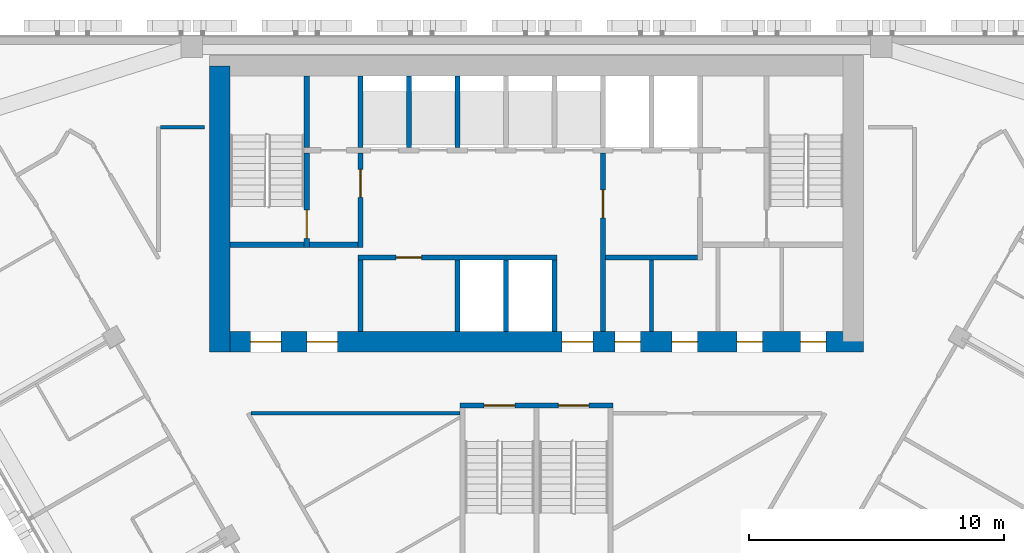
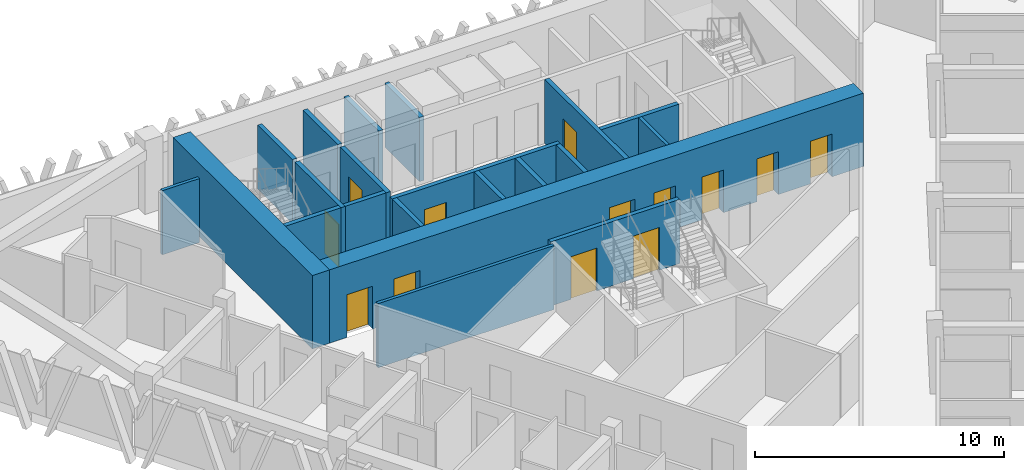
# One storey, part 11 of 16: 21 walls, 13 doors, 13 openings.
"""IFC4 building model written with IfcOpenShell, lengths in metres."""

from ifc_helpers import new_model, si_unit, direction, frame, frame_2d, origin, place, context, subcontext, project, spatial, rectangle, extrude, material, layer, layer_set, type_object, element, fill, save


model = new_model("IFC4")

# Units and contexts
model_context = context("Model", 3, precision=1e-05, world=origin(), true_north=direction((0.0, 1.0)))
body_context = subcontext(model_context, "Body", "Model", "MODEL_VIEW")
ifc_project = project(units=[si_unit("LENGTHUNIT", "METRE"), si_unit("AREAUNIT", "SQUARE_METRE"), si_unit("VOLUMEUNIT", "CUBIC_METRE"), si_unit("PLANEANGLEUNIT", "RADIAN"), si_unit("MASSUNIT", "GRAM", prefix="KILO")], contexts=[model_context])

# Site, building, storey
site_placement = place(None, origin())
site = spatial("IfcSite", under=ifc_project, at=site_placement, CompositionType="ELEMENT")
building_placement = place(site_placement, origin())
building = spatial("IfcBuilding", under=site, at=building_placement, Name="Altiplano Prism Tower", CompositionType="ELEMENT")
storey_placement = place(building_placement, frame((0.0, 0.0, 149.39990234375)))
storey = spatial("IfcBuildingStorey", under=building, at=storey_placement, Name="L38", CompositionType="ELEMENT", Elevation=149.39990234375)

# Wall, openings, doors
ifc_material_1 = material(Name="Concrete C60/75", Category="concrete")
ifc_layer_1 = layer(ifc_material_1, 0.800048828125)
ifc_layer_set_1 = layer_set([ifc_layer_1], Name="Concrete C60/75")
wall_type_1 = type_object("IfcWallType", Name="Core wall 800", PredefinedType="SHEAR", material=ifc_layer_set_1)
wall_1_placement = place(storey_placement, frame((72.60009765625, 93.0, 0.0), z_axis=(0.0, 0.0, 1.0), x_axis=(1.0, 0.0, 0.0)))
wall_1 = element("IfcWall", 1, at=wall_1_placement, inside=storey, type_object=wall_type_1, Name="Core wall S L38", PredefinedType="SHEAR", context=body_context, shape_type="SweptSolid", body=[
    extrude(rectangle(XDim=25.199951171875, YDim=0.800048828125, at=frame_2d((12.60009765625, 0.0))), origin(), (0.0, 0.0, 1.0), 3.60009765625),
])
opening_1_placement = place(wall_1_placement, frame((1.199951171875, 0.0, 0.0)))
opening_1 = element("IfcOpeningElement", 2, at=opening_1_placement, cuts=wall_1, Name="Opening D3102", PredefinedType="OPENING", context=body_context, shape_type="SweptSolid", body=[
    extrude(rectangle(XDim=1.199951171875, YDim=2.10009765625, at=frame_2d((0.60009765625, 1.050048828125))), frame((0.0, 0.41064453125, 0.0), z_axis=(0.0, -1.0, 0.0), x_axis=(1.0, 0.0, 0.0)), (0.0, 0.0, 1.0), 0.821044921875),
])
opening_2_placement = place(wall_1_placement, frame((3.39990234375, 0.0, 0.0)))
opening_2 = element("IfcOpeningElement", 3, at=opening_2_placement, cuts=wall_1, Name="Opening D3103", PredefinedType="OPENING", context=body_context, shape_type="SweptSolid", body=[
    extrude(rectangle(XDim=1.199951171875, YDim=2.10009765625, at=frame_2d((0.60009765625, 1.050048828125))), frame((0.0, 0.41064453125, 0.0), z_axis=(0.0, -1.0, 0.0), x_axis=(1.0, 0.0, 0.0)), (0.0, 0.0, 1.0), 0.821044921875),
])
opening_3_placement = place(wall_1_placement, frame((13.39990234375, 0.0, 0.0)))
opening_3 = element("IfcOpeningElement", 4, at=opening_3_placement, cuts=wall_1, Name="Opening D3104", PredefinedType="OPENING", context=body_context, shape_type="SweptSolid", body=[
    extrude(rectangle(XDim=1.199951171875, YDim=2.10009765625, at=frame_2d((0.60009765625, 1.050048828125))), frame((0.0, 0.41064453125, 0.0), z_axis=(0.0, -1.0, 0.0), x_axis=(1.0, 0.0, 0.0)), (0.0, 0.0, 1.0), 0.821044921875),
])
opening_4_placement = place(wall_1_placement, frame((15.46240234375, 0.0, 0.0)))
opening_4 = element("IfcOpeningElement", 5, at=opening_4_placement, cuts=wall_1, Name="Opening D3107", PredefinedType="OPENING", context=body_context, shape_type="SweptSolid", body=[
    extrude(rectangle(XDim=1.0, YDim=2.10009765625, at=frame_2d((0.5, 1.050048828125))), frame((0.0, 0.41064453125, 0.0), z_axis=(0.0, -1.0, 0.0), x_axis=(1.0, 0.0, 0.0)), (0.0, 0.0, 1.0), 0.821044921875),
])
opening_5_placement = place(wall_1_placement, frame((17.699951171875, 0.0, 0.0)))
opening_5 = element("IfcOpeningElement", 6, at=opening_5_placement, cuts=wall_1, Name="Opening D3108", PredefinedType="OPENING", context=body_context, shape_type="SweptSolid", body=[
    extrude(rectangle(XDim=1.0, YDim=2.10009765625, at=frame_2d((0.5, 1.050048828125))), frame((0.0, 0.41064453125, 0.0), z_axis=(0.0, -1.0, 0.0), x_axis=(1.0, 0.0, 0.0)), (0.0, 0.0, 1.0), 0.821044921875),
])
opening_6_placement = place(wall_1_placement, frame((20.25, 0.0, 0.0)))
opening_6 = element("IfcOpeningElement", 7, at=opening_6_placement, cuts=wall_1, Name="Opening D3109", PredefinedType="OPENING", context=body_context, shape_type="SweptSolid", body=[
    extrude(rectangle(XDim=1.0, YDim=2.10009765625, at=frame_2d((0.5, 1.050048828125))), frame((0.0, 0.41064453125, 0.0), z_axis=(0.0, -1.0, 0.0), x_axis=(1.0, 0.0, 0.0)), (0.0, 0.0, 1.0), 0.821044921875),
])
opening_7_placement = place(wall_1_placement, frame((22.737548828125, 0.0, 0.0)))
opening_7 = element("IfcOpeningElement", 8, at=opening_7_placement, cuts=wall_1, Name="Opening D3110", PredefinedType="OPENING", context=body_context, shape_type="SweptSolid", body=[
    extrude(rectangle(XDim=1.0, YDim=2.10009765625, at=frame_2d((0.5, 1.050048828125))), frame((0.0, 0.41064453125, 0.0), z_axis=(0.0, -1.0, 0.0), x_axis=(1.0, 0.0, 0.0)), (0.0, 0.0, 1.0), 0.821044921875),
])
ifc_material_2 = material(Name="Fire-rated steel door", Category="steel")
door_type_1 = type_object("IfcDoorType", Name="Core room door 1000 x 2100", OperationType="NOTDEFINED", PredefinedType="NOTDEFINED", material=ifc_material_2)
door_1_placement = place(opening_4_placement, origin())
door_1 = element("IfcDoor", 9, at=door_1_placement, inside=storey, type_object=door_type_1, Name="Core room door D3107", OperationType="SINGLE_SWING_RIGHT", OverallHeight=2.10009765625, OverallWidth=1.0, PredefinedType="NOTDEFINED", context=body_context, shape_type="SweptSolid", body=[
    extrude(rectangle(XDim=1.0, YDim=2.10009765625, at=frame_2d((0.5, 1.050048828125))), frame((0.0, 0.02490234375, 0.0), z_axis=(0.0, -1.0, 0.0), x_axis=(1.0, 0.0, 0.0)), (0.0, 0.0, 1.0), 0.050048828125),
])
fill(opening_4, door_1)
door_2_placement = place(opening_5_placement, origin())
door_2 = element("IfcDoor", 10, at=door_2_placement, inside=storey, type_object=door_type_1, Name="Core room door D3108", OperationType="SINGLE_SWING_LEFT", OverallHeight=2.10009765625, OverallWidth=1.0, PredefinedType="NOTDEFINED", context=body_context, shape_type="SweptSolid", body=[
    extrude(rectangle(XDim=1.0, YDim=2.10009765625, at=frame_2d((0.5, 1.050048828125))), frame((0.0, 0.02490234375, 0.0), z_axis=(0.0, -1.0, 0.0), x_axis=(1.0, 0.0, 0.0)), (0.0, 0.0, 1.0), 0.050048828125),
])
fill(opening_5, door_2)
door_3_placement = place(opening_6_placement, origin())
door_3 = element("IfcDoor", 11, at=door_3_placement, inside=storey, type_object=door_type_1, Name="Core room door D3109", OperationType="SINGLE_SWING_RIGHT", OverallHeight=2.10009765625, OverallWidth=1.0, PredefinedType="NOTDEFINED", context=body_context, shape_type="SweptSolid", body=[
    extrude(rectangle(XDim=1.0, YDim=2.10009765625, at=frame_2d((0.5, 1.050048828125))), frame((0.0, 0.02490234375, 0.0), z_axis=(0.0, -1.0, 0.0), x_axis=(1.0, 0.0, 0.0)), (0.0, 0.0, 1.0), 0.050048828125),
])
fill(opening_6, door_3)
door_4_placement = place(opening_7_placement, origin())
door_4 = element("IfcDoor", 12, at=door_4_placement, inside=storey, type_object=door_type_1, Name="Core room door D3110", OperationType="SINGLE_SWING_LEFT", OverallHeight=2.10009765625, OverallWidth=1.0, PredefinedType="NOTDEFINED", context=body_context, shape_type="SweptSolid", body=[
    extrude(rectangle(XDim=1.0, YDim=2.10009765625, at=frame_2d((0.5, 1.050048828125))), frame((0.0, 0.02490234375, 0.0), z_axis=(0.0, -1.0, 0.0), x_axis=(1.0, 0.0, 0.0)), (0.0, 0.0, 1.0), 0.050048828125),
])
fill(opening_7, door_4)
door_type_2 = type_object("IfcDoorType", Name="Lobby fire door 1200 x 2100", OperationType="NOTDEFINED", PredefinedType="NOTDEFINED", material=ifc_material_2)
door_5_placement = place(opening_1_placement, origin())
door_5 = element("IfcDoor", 13, at=door_5_placement, inside=storey, type_object=door_type_2, Name="Lobby fire door D3102", OperationType="SINGLE_SWING_RIGHT", OverallHeight=2.10009765625, OverallWidth=1.199951171875, PredefinedType="NOTDEFINED", context=body_context, shape_type="SweptSolid", body=[
    extrude(rectangle(XDim=1.199951171875, YDim=2.10009765625, at=frame_2d((0.60009765625, 1.050048828125))), frame((0.0, 0.02490234375, 0.0), z_axis=(0.0, -1.0, 0.0), x_axis=(1.0, 0.0, 0.0)), (0.0, 0.0, 1.0), 0.050048828125),
])
fill(opening_1, door_5)
door_6_placement = place(opening_2_placement, origin())
door_6 = element("IfcDoor", 14, at=door_6_placement, inside=storey, type_object=door_type_2, Name="Lobby fire door D3103", OperationType="SINGLE_SWING_LEFT", OverallHeight=2.10009765625, OverallWidth=1.199951171875, PredefinedType="NOTDEFINED", context=body_context, shape_type="SweptSolid", body=[
    extrude(rectangle(XDim=1.199951171875, YDim=2.10009765625, at=frame_2d((0.60009765625, 1.050048828125))), frame((0.0, 0.02490234375, 0.0), z_axis=(0.0, -1.0, 0.0), x_axis=(1.0, 0.0, 0.0)), (0.0, 0.0, 1.0), 0.050048828125),
])
fill(opening_2, door_6)
door_7_placement = place(opening_3_placement, origin())
door_7 = element("IfcDoor", 15, at=door_7_placement, inside=storey, type_object=door_type_2, Name="Lobby fire door D3104", OperationType="SINGLE_SWING_RIGHT", OverallHeight=2.10009765625, OverallWidth=1.199951171875, PredefinedType="NOTDEFINED", context=body_context, shape_type="SweptSolid", body=[
    extrude(rectangle(XDim=1.199951171875, YDim=2.10009765625, at=frame_2d((0.60009765625, 1.050048828125))), frame((0.0, 0.02490234375, 0.0), z_axis=(0.0, -1.0, 0.0), x_axis=(1.0, 0.0, 0.0)), (0.0, 0.0, 1.0), 0.050048828125),
])
fill(opening_3, door_7)

# Walls
wall_2_placement = place(storey_placement, frame((72.60009765625, 103.800048828125, 0.0), z_axis=(0.0, 0.0, 1.0), x_axis=(0.0, -1.0, 0.0)))
element("IfcWall", 16, at=wall_2_placement, inside=storey, type_object=wall_type_1, Name="Core wall W L38", PredefinedType="SHEAR", context=body_context, shape_type="SweptSolid", body=[
    extrude(rectangle(XDim=11.199951171875, YDim=0.800048828125, at=frame_2d((5.60009765625, 0.0))), origin(), (0.0, 0.0, 1.0), 3.60009765625),
])
ifc_material_3 = material(Name="Plasterboard on steel stud", Category="steel")
ifc_layer_2 = layer(ifc_material_3, 0.14990234375)
ifc_layer_set_2 = layer_set([ifc_layer_2], Name="Plasterboard on steel stud")
wall_type_2 = type_object("IfcWallType", Name="Partition 150 corridor", PredefinedType="PARTITIONING", material=ifc_layer_set_2)
wall_3_placement = place(storey_placement, frame((73.825927734375, 90.199951171875, 0.0), z_axis=(0.0, 0.0, 1.0), x_axis=(1.0, 0.0, 0.0)))
element("IfcWall", 17, at=wall_3_placement, inside=storey, type_object=wall_type_2, Name="Partition P06 L38 001", PredefinedType="PARTITIONING", context=body_context, shape_type="SweptSolid", body=[
    extrude(rectangle(XDim=8.174072265625, YDim=0.14990234375, at=frame_2d((4.0869140625, 0.0))), origin(), (0.0, 0.0, 1.0), 3.150146484375),
])
wall_4_placement = place(storey_placement, frame((72.0, 101.39990234375, 0.0), z_axis=(0.0, 0.0, 1.0), x_axis=(-1.0, 0.0, 0.0)))
element("IfcWall", 18, at=wall_4_placement, inside=storey, type_object=wall_type_2, Name="Partition P06 L38 013", PredefinedType="PARTITIONING", context=body_context, shape_type="SweptSolid", body=[
    extrude(rectangle(XDim=1.72509765625, YDim=0.14990234375, at=frame_2d((0.862548828125, 0.0))), origin(), (0.0, 0.0, 1.0), 3.150146484375),
])
ifc_material_4 = material(Name="Fire-rated gypsum board partition")
ifc_layer_3 = layer(ifc_material_4, 0.14990234375)
ifc_layer_set_3 = layer_set([ifc_layer_3], Name="Fire-rated gypsum board partition")
wall_type_3 = type_object("IfcWallType", Name="Room partition 150", PredefinedType="PARTITIONING", material=ifc_layer_set_3)
wall_5_placement = place(storey_placement, frame((89.5, 93.39990234375, 0.0), z_axis=(0.0, 0.0, 1.0), x_axis=(0.0, 1.0, 0.0)))
element("IfcWall", 19, at=wall_5_placement, inside=storey, type_object=wall_type_3, Name="Room partition L38", PredefinedType="PARTITIONING", context=body_context, shape_type="SweptSolid", body=[
    extrude(rectangle(XDim=2.800048828125, YDim=0.14990234375, at=frame_2d((1.39990234375, 0.0))), origin(), (0.0, 0.0, 1.0), 3.150146484375),
])
ifc_layer_4 = layer(ifc_material_1, 0.199951171875)
ifc_layer_set_4 = layer_set([ifc_layer_4], Name="Concrete C60/75")
wall_type_4 = type_object("IfcWallType", Name="Shaft wall 200", PredefinedType="SOLIDWALL", material=ifc_layer_set_4)
for number, where, z_axis, x_axis, name in (
    (20, (81.89990234375, 93.39990234375, 0.0), (0.0, 0.0, 1.0), (0.0, 1.0, 0.0), "Shaft wall L38"),
    (21, (83.800048828125, 93.39990234375, 0.0), (0.0, 0.0, 1.0), (0.0, 1.0, 0.0), "Shaft wall L38"),
    (22, (85.699951171875, 93.39990234375, 0.0), (0.0, 0.0, 1.0), (0.0, 1.0, 0.0), "Shaft wall L38"),
):
    element("IfcWall", number, at=place(storey_placement, frame(where, z_axis=z_axis, x_axis=x_axis)), inside=storey, type_object=wall_type_4, Name=name, PredefinedType="SOLIDWALL", context=body_context, shape_type="SweptSolid", body=[
        extrude(rectangle(XDim=2.800048828125, YDim=0.199951171875, at=frame_2d((1.39990234375, 0.0))), origin(), (0.0, 0.0, 1.0), 3.150146484375),
    ])

# Wall, opening, door
wall_6_placement = place(storey_placement, frame((78.0, 96.300048828125, 0.0), z_axis=(0.0, 0.0, 1.0), x_axis=(1.0, 0.0, 0.0)))
wall_6 = element("IfcWall", 23, at=wall_6_placement, inside=storey, type_object=wall_type_4, Name="Shaft wall L38", PredefinedType="SOLIDWALL", context=body_context, shape_type="SweptSolid", body=[
    extrude(rectangle(XDim=7.800048828125, YDim=0.199951171875, at=frame_2d((3.89990234375, 0.0))), origin(), (0.0, 0.0, 1.0), 3.150146484375),
])
opening_8_placement = place(wall_6_placement, frame((1.5, 0.0, 0.0)))
opening_8 = element("IfcOpeningElement", 24, at=opening_8_placement, cuts=wall_6, Name="Opening D3111", PredefinedType="OPENING", context=body_context, shape_type="SweptSolid", body=[
    extrude(rectangle(XDim=1.0, YDim=2.10009765625, at=frame_2d((0.5, 1.050048828125))), frame((0.0, 0.1103515625, 0.0), z_axis=(0.0, -1.0, 0.0), x_axis=(1.0, 0.0, 0.0)), (0.0, 0.0, 1.0), 0.220947265625),
])
door_8_placement = place(opening_8_placement, origin())
door_8 = element("IfcDoor", 25, at=door_8_placement, inside=storey, type_object=door_type_1, Name="Core room door D3111", OperationType="SINGLE_SWING_RIGHT", OverallHeight=2.10009765625, OverallWidth=1.0, PredefinedType="NOTDEFINED", context=body_context, shape_type="SweptSolid", body=[
    extrude(rectangle(XDim=1.0, YDim=2.10009765625, at=frame_2d((0.5, 1.050048828125))), frame((0.0, 0.02490234375, 0.0), z_axis=(0.0, -1.0, 0.0), x_axis=(1.0, 0.0, 0.0)), (0.0, 0.0, 1.0), 0.050048828125),
])
fill(opening_8, door_8)

# Walls
for number, where, z_axis, x_axis, name in (
    (26, (78.10009765625, 100.60009765625, 0.0), (0.0, 0.0, 1.0), (0.0, 1.0, 0.0), "Shaft wall L38"),
    (27, (80.0, 100.60009765625, 0.0), (0.0, 0.0, 1.0), (0.0, 1.0, 0.0), "Shaft wall L38"),
    (28, (81.89990234375, 100.60009765625, 0.0), (0.0, 0.0, 1.0), (0.0, 1.0, 0.0), "Shaft wall L38"),
):
    element("IfcWall", number, at=place(storey_placement, frame(where, z_axis=z_axis, x_axis=x_axis)), inside=storey, type_object=wall_type_4, Name=name, PredefinedType="SOLIDWALL", context=body_context, shape_type="SweptSolid", body=[
        extrude(rectangle(XDim=2.7998046875, YDim=0.199951171875, at=frame_2d((1.39990234375, 0.0))), origin(), (0.0, 0.0, 1.0), 3.150146484375),
    ])
ifc_layer_5 = layer(ifc_material_1, 0.199951171875)
ifc_layer_set_5 = layer_set([ifc_layer_5], Name="Concrete C60/75")
wall_type_5 = type_object("IfcWallType", Name="Stair wall 200", PredefinedType="SOLIDWALL", material=ifc_layer_set_5)
wall_7_placement = place(storey_placement, frame((73.0, 96.800048828125, 0.0), z_axis=(0.0, 0.0, 1.0), x_axis=(1.0, 0.0, 0.0)))
element("IfcWall", 29, at=wall_7_placement, inside=storey, type_object=wall_type_5, Name="Stair wall L38", PredefinedType="SOLIDWALL", context=body_context, shape_type="SweptSolid", body=[
    extrude(rectangle(XDim=2.89990234375, YDim=0.199951171875, at=frame_2d((1.449951171875, 0.0))), origin(), (0.0, 0.0, 1.0), 3.150146484375),
])

# Wall, opening, door
wall_8_placement = place(storey_placement, frame((76.0, 96.699951171875, 0.0), z_axis=(0.0, 0.0, 1.0), x_axis=(0.0, 1.0, 0.0)))
wall_8 = element("IfcWall", 30, at=wall_8_placement, inside=storey, type_object=wall_type_5, Name="Stair wall L38", PredefinedType="SOLIDWALL", context=body_context, shape_type="SweptSolid", body=[
    extrude(rectangle(XDim=3.699951171875, YDim=0.199951171875, at=frame_2d((1.85009765625, 0.0))), origin(), (0.0, 0.0, 1.0), 3.150146484375),
])
opening_9_placement = place(wall_8_placement, frame((0.35009765625, 0.0, 0.0)))
opening_9 = element("IfcOpeningElement", 31, at=opening_9_placement, cuts=wall_8, Name="Opening D3097", PredefinedType="OPENING", context=body_context, shape_type="SweptSolid", body=[
    extrude(rectangle(XDim=1.10009765625, YDim=2.10009765625, at=frame_2d((0.550048828125, 1.050048828125))), frame((0.0, 0.1103515625, 0.0), z_axis=(0.0, -1.0, 0.0), x_axis=(1.0, 0.0, 0.0)), (0.0, 0.0, 1.0), 0.220947265625),
])
door_type_3 = type_object("IfcDoorType", Name="Stair fire door 1100 x 2100", OperationType="NOTDEFINED", PredefinedType="NOTDEFINED", material=ifc_material_2)
door_9_placement = place(opening_9_placement, origin())
door_9 = element("IfcDoor", 32, at=door_9_placement, inside=storey, type_object=door_type_3, Name="Stair fire door D3097", OperationType="SINGLE_SWING_RIGHT", OverallHeight=2.10009765625, OverallWidth=1.10009765625, PredefinedType="NOTDEFINED", context=body_context, shape_type="SweptSolid", body=[
    extrude(rectangle(XDim=1.10009765625, YDim=2.10009765625, at=frame_2d((0.550048828125, 1.050048828125))), frame((0.0, 0.02490234375, 0.0), z_axis=(0.0, -1.0, 0.0), x_axis=(1.0, 0.0, 0.0)), (0.0, 0.0, 1.0), 0.050048828125),
])
fill(opening_9, door_9)

# Wall
wall_9_placement = place(storey_placement, frame((76.0, 100.60009765625, 0.0), z_axis=(0.0, 0.0, 1.0), x_axis=(0.0, 1.0, 0.0)))
element("IfcWall", 33, at=wall_9_placement, inside=storey, type_object=wall_type_5, Name="Stair wall L38", PredefinedType="SOLIDWALL", context=body_context, shape_type="SweptSolid", body=[
    extrude(rectangle(XDim=2.7998046875, YDim=0.199951171875, at=frame_2d((1.39990234375, 0.0))), origin(), (0.0, 0.0, 1.0), 3.150146484375),
])

# Wall, openings, doors
wall_10_placement = place(storey_placement, frame((82.0, 90.5, 0.0), z_axis=(0.0, 0.0, 1.0), x_axis=(1.0, 0.0, 0.0)))
wall_10 = element("IfcWall", 34, at=wall_10_placement, inside=storey, type_object=wall_type_5, Name="Stair 3 wall north L38", PredefinedType="SOLIDWALL", context=body_context, shape_type="SweptSolid", body=[
    extrude(rectangle(XDim=6.0, YDim=0.199951171875, at=frame_2d((3.0, 0.0))), origin(), (0.0, 0.0, 1.0), 3.150146484375),
])
opening_10_placement = place(wall_10_placement, frame((0.949951171875, 0.0, 0.0)))
opening_10 = element("IfcOpeningElement", 35, at=opening_10_placement, cuts=wall_10, Name="Opening D3998", PredefinedType="OPENING", context=body_context, shape_type="SweptSolid", body=[
    extrude(rectangle(XDim=1.199951171875, YDim=2.10009765625, at=frame_2d((0.60009765625, 1.050048828125))), frame((0.0, 0.1103515625, 0.0), z_axis=(0.0, -1.0, 0.0), x_axis=(1.0, 0.0, 0.0)), (0.0, 0.0, 1.0), 0.220947265625),
])
opening_11_placement = place(wall_10_placement, frame((3.85009765625, 0.0, 0.0)))
opening_11 = element("IfcOpeningElement", 36, at=opening_11_placement, cuts=wall_10, Name="Opening D3999", PredefinedType="OPENING", context=body_context, shape_type="SweptSolid", body=[
    extrude(rectangle(XDim=1.199951171875, YDim=2.10009765625, at=frame_2d((0.60009765625, 1.050048828125))), frame((0.0, 0.1103515625, 0.0), z_axis=(0.0, -1.0, 0.0), x_axis=(1.0, 0.0, 0.0)), (0.0, 0.0, 1.0), 0.220947265625),
])
door_type_4 = type_object("IfcDoorType", Name="Stair fire door 1200 x 2100", OperationType="NOTDEFINED", PredefinedType="NOTDEFINED", material=ifc_material_2)
door_10_placement = place(opening_10_placement, origin())
door_10 = element("IfcDoor", 37, at=door_10_placement, inside=storey, type_object=door_type_4, Name="Stair fire door D3998", OperationType="SINGLE_SWING_LEFT", OverallHeight=2.10009765625, OverallWidth=1.199951171875, PredefinedType="NOTDEFINED", context=body_context, shape_type="SweptSolid", body=[
    extrude(rectangle(XDim=1.199951171875, YDim=2.10009765625, at=frame_2d((0.60009765625, 1.050048828125))), frame((0.0, 0.02490234375, 0.0), z_axis=(0.0, -1.0, 0.0), x_axis=(1.0, 0.0, 0.0)), (0.0, 0.0, 1.0), 0.050048828125),
])
fill(opening_10, door_10)
door_11_placement = place(opening_11_placement, origin())
door_11 = element("IfcDoor", 38, at=door_11_placement, inside=storey, type_object=door_type_4, Name="Stair fire door D3999", OperationType="SINGLE_SWING_LEFT", OverallHeight=2.10009765625, OverallWidth=1.199951171875, PredefinedType="NOTDEFINED", context=body_context, shape_type="SweptSolid", body=[
    extrude(rectangle(XDim=1.199951171875, YDim=2.10009765625, at=frame_2d((0.60009765625, 1.050048828125))), frame((0.0, 0.02490234375, 0.0), z_axis=(0.0, -1.0, 0.0), x_axis=(1.0, 0.0, 0.0)), (0.0, 0.0, 1.0), 0.050048828125),
])
fill(opening_11, door_11)

# Wall
ifc_layer_6 = layer(ifc_material_1, 0.199951171875)
ifc_layer_set_6 = layer_set([ifc_layer_6], Name="Concrete C60/75")
wall_type_6 = type_object("IfcWallType", Name="Vestibule wall 200", PredefinedType="PARTITIONING", material=ifc_layer_set_6)
wall_11_placement = place(storey_placement, frame((78.10009765625, 93.39990234375, 0.0), z_axis=(0.0, 0.0, 1.0), x_axis=(0.0, 1.0, 0.0)))
element("IfcWall", 39, at=wall_11_placement, inside=storey, type_object=wall_type_6, Name="Vestibule wall L38", PredefinedType="PARTITIONING", context=body_context, shape_type="SweptSolid", body=[
    extrude(rectangle(XDim=2.800048828125, YDim=0.199951171875, at=frame_2d((1.39990234375, 0.0))), origin(), (0.0, 0.0, 1.0), 3.150146484375),
])

# Wall, opening, door
wall_12_placement = place(storey_placement, frame((87.60009765625, 93.39990234375, 0.0), z_axis=(0.0, 0.0, 1.0), x_axis=(0.0, 1.0, 0.0)))
wall_12 = element("IfcWall", 40, at=wall_12_placement, inside=storey, type_object=wall_type_6, Name="Vestibule wall L38", PredefinedType="PARTITIONING", context=body_context, shape_type="SweptSolid", body=[
    extrude(rectangle(XDim=7.0, YDim=0.199951171875, at=frame_2d((3.5, 0.0))), origin(), (0.0, 0.0, 1.0), 3.150146484375),
])
opening_12_placement = place(wall_12_placement, frame((4.449951171875, 0.0, 0.0)))
opening_12 = element("IfcOpeningElement", 41, at=opening_12_placement, cuts=wall_12, Name="Opening D3100", PredefinedType="OPENING", context=body_context, shape_type="SweptSolid", body=[
    extrude(rectangle(XDim=1.10009765625, YDim=2.10009765625, at=frame_2d((0.550048828125, 1.050048828125))), frame((0.0, 0.1103515625, 0.0), z_axis=(0.0, -1.0, 0.0), x_axis=(1.0, 0.0, 0.0)), (0.0, 0.0, 1.0), 0.220947265625),
])
door_type_5 = type_object("IfcDoorType", Name="Vestibule fire door 1100 x 2100", OperationType="NOTDEFINED", PredefinedType="NOTDEFINED", material=ifc_material_2)
door_12_placement = place(opening_12_placement, origin())
door_12 = element("IfcDoor", 42, at=door_12_placement, inside=storey, type_object=door_type_5, Name="Vestibule fire door D3100", OperationType="SINGLE_SWING_RIGHT", OverallHeight=2.10009765625, OverallWidth=1.10009765625, PredefinedType="NOTDEFINED", context=body_context, shape_type="SweptSolid", body=[
    extrude(rectangle(XDim=1.10009765625, YDim=2.10009765625, at=frame_2d((0.550048828125, 1.050048828125))), frame((0.0, 0.02490234375, 0.0), z_axis=(0.0, -1.0, 0.0), x_axis=(1.0, 0.0, 0.0)), (0.0, 0.0, 1.0), 0.050048828125),
])
fill(opening_12, door_12)

# Walls
wall_13_placement = place(storey_placement, frame((87.699951171875, 96.300048828125, 0.0), z_axis=(0.0, 0.0, 1.0), x_axis=(1.0, 0.0, 0.0)))
element("IfcWall", 43, at=wall_13_placement, inside=storey, type_object=wall_type_6, Name="Vestibule wall L38", PredefinedType="PARTITIONING", context=body_context, shape_type="SweptSolid", body=[
    extrude(rectangle(XDim=3.60009765625, YDim=0.199951171875, at=frame_2d((1.800048828125, 0.0))), origin(), (0.0, 0.0, 1.0), 3.150146484375),
])
wall_14_placement = place(storey_placement, frame((76.10009765625, 96.800048828125, 0.0), z_axis=(0.0, 0.0, 1.0), x_axis=(1.0, 0.0, 0.0)))
element("IfcWall", 44, at=wall_14_placement, inside=storey, type_object=wall_type_6, Name="Vestibule wall L38", PredefinedType="PARTITIONING", context=body_context, shape_type="SweptSolid", body=[
    extrude(rectangle(XDim=1.89990234375, YDim=0.199951171875, at=frame_2d((0.949951171875, 0.0))), origin(), (0.0, 0.0, 1.0), 3.150146484375),
])

# Wall, opening, door
wall_15_placement = place(storey_placement, frame((78.10009765625, 96.699951171875, 0.0), z_axis=(0.0, 0.0, 1.0), x_axis=(0.0, 1.0, 0.0)))
wall_15 = element("IfcWall", 45, at=wall_15_placement, inside=storey, type_object=wall_type_6, Name="Vestibule wall L38", PredefinedType="PARTITIONING", context=body_context, shape_type="SweptSolid", body=[
    extrude(rectangle(XDim=3.699951171875, YDim=0.199951171875, at=frame_2d((1.85009765625, 0.0))), origin(), (0.0, 0.0, 1.0), 3.150146484375),
])
opening_13_placement = place(wall_15_placement, frame((1.949951171875, 0.0, 0.0)))
opening_13 = element("IfcOpeningElement", 46, at=opening_13_placement, cuts=wall_15, Name="Opening D3099", PredefinedType="OPENING", context=body_context, shape_type="SweptSolid", body=[
    extrude(rectangle(XDim=1.10009765625, YDim=2.10009765625, at=frame_2d((0.550048828125, 1.050048828125))), frame((0.0, 0.1103515625, 0.0), z_axis=(0.0, -1.0, 0.0), x_axis=(1.0, 0.0, 0.0)), (0.0, 0.0, 1.0), 0.220947265625),
])
door_13_placement = place(opening_13_placement, origin())
door_13 = element("IfcDoor", 47, at=door_13_placement, inside=storey, type_object=door_type_5, Name="Vestibule fire door D3099", OperationType="SINGLE_SWING_LEFT", OverallHeight=2.10009765625, OverallWidth=1.10009765625, PredefinedType="NOTDEFINED", context=body_context, shape_type="SweptSolid", body=[
    extrude(rectangle(XDim=1.10009765625, YDim=2.10009765625, at=frame_2d((0.550048828125, 1.050048828125))), frame((0.0, 0.02490234375, 0.0), z_axis=(0.0, -1.0, 0.0), x_axis=(1.0, 0.0, 0.0)), (0.0, 0.0, 1.0), 0.050048828125),
])
fill(opening_13, door_13)

save(model, "model.ifc")
